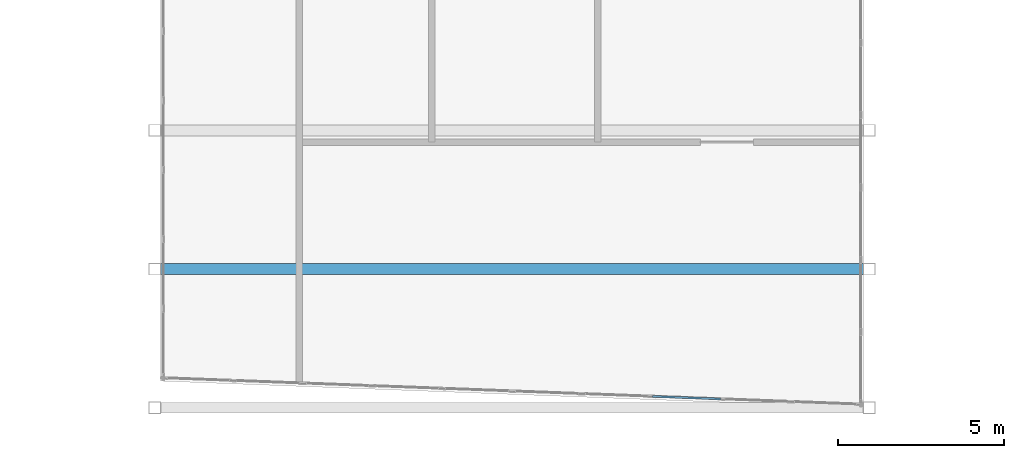
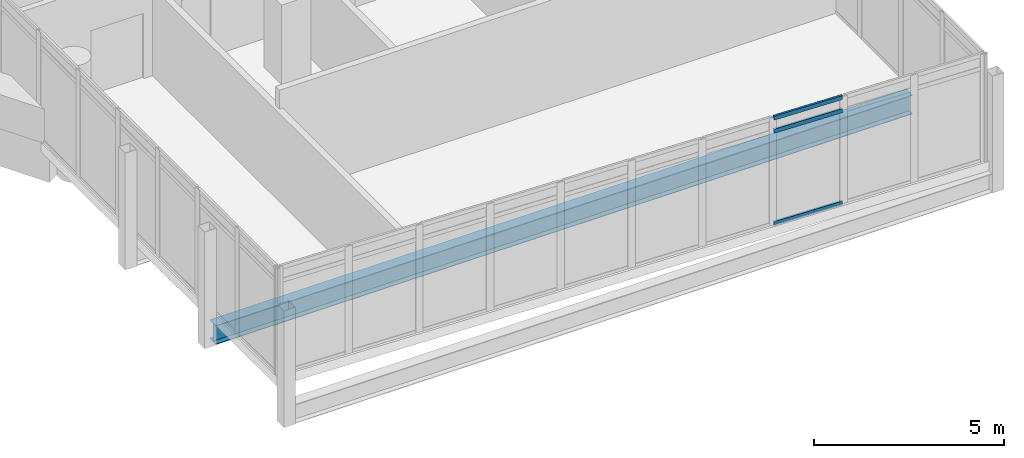
# One storey, part 5 of 37: 3 members, 1 beam, 1 element without a shape of its own.
"""IFC4 building model written with IfcOpenShell, lengths in metres."""

from ifc_helpers import new_model, si_unit, direction, frame, origin, origin_2d, place, context, subcontext, project, spatial, hollow_rectangle, i_section, extrude, material, material_profile, profile_set, type_object, element, aggregate, save


model = new_model("IFC4")

# Units and contexts
model_context = context("Model", 3, precision=1e-05, world=origin(), true_north=direction((0.0, 1.0)))
body_context = subcontext(model_context, "Body", "Model", "MODEL_VIEW")
ifc_project = project(units=[si_unit("LENGTHUNIT", "METRE"), si_unit("AREAUNIT", "SQUARE_METRE"), si_unit("VOLUMEUNIT", "CUBIC_METRE"), si_unit("PLANEANGLEUNIT", "RADIAN"), si_unit("MASSUNIT", "GRAM", prefix="KILO")], contexts=[model_context])

# Site, building, storey
site_placement = place(None, origin())
site = spatial("IfcSite", under=ifc_project, at=site_placement, CompositionType="ELEMENT")
building_placement = place(site_placement, origin())
building = spatial("IfcBuilding", under=site, at=building_placement, Name="Ostrander Bayou Hotel Tower", CompositionType="ELEMENT")
storey_placement = place(building_placement, frame((0.0, 0.0, 225.75)))
storey = spatial("IfcBuildingStorey", under=building, at=storey_placement, Name="L56", CompositionType="ELEMENT", Elevation=225.75)

# Curtain wall, members
ifc_material_1 = material(Name="Aluminium and clear glass", Category="aluminium")
curtain_wall_type = type_object("IfcCurtainWallType", Name="CW-BAR glazed wall", PredefinedType="NOTDEFINED", material=ifc_material_1)
curtain_wall_placement = place(storey_placement, origin())
curtain_wall = element("IfcCurtainWall", 1, at=curtain_wall_placement, inside=storey, type_object=curtain_wall_type, Name="CW-BAR L56:SB5S:T", PredefinedType="NOTDEFINED")
ifc_material_2 = material(Name="Aluminium", Category="aluminium")
ifc_material_profile_1 = material_profile(ifc_material_2, hollow_rectangle(XDim=0.06005859375, YDim=0.1298828125, WallThickness=0.00390625, at=origin_2d()))
ifc_profile_set_1 = profile_set([ifc_material_profile_1], Name="Aluminium")
member_type = type_object("IfcMemberType", Name="CW-BR transom 60 x 130 mm", PredefinedType="USERDEFINED", material=ifc_profile_set_1)
member_1_placement = place(storey_placement, frame((4.23486328125, -29.159912109375, 0.030029296875), z_axis=(0.99928289053, -0.037864293127, 0.0), x_axis=(0.037864293127, 0.99928289053, 0.0)))
member_1 = element("IfcMember", 2, at=member_1_placement, type_object=member_type, Name="CW-BAR transom 8.1", ObjectType="TRANSOM", PredefinedType="USERDEFINED", context=body_context, shape_type="SweptSolid", body=[
    extrude(hollow_rectangle(XDim=0.06005859375, YDim=0.1298828125, WallThickness=0.00390625, at=origin_2d()), origin(), (0.0, 0.0, 1.0), 2.0439453125),
])
member_2_placement = place(storey_placement, frame((4.23486328125, -29.159912109375, 3.0), z_axis=(0.99928289053, -0.037864293127, 0.0), x_axis=(0.037864293127, 0.99928289053, 0.0)))
member_2 = element("IfcMember", 3, at=member_2_placement, type_object=member_type, Name="CW-BAR transom 8.2", ObjectType="TRANSOM", PredefinedType="USERDEFINED", context=body_context, shape_type="SweptSolid", body=[
    extrude(hollow_rectangle(XDim=0.06005859375, YDim=0.1298828125, WallThickness=0.00390625, at=origin_2d()), origin(), (0.0, 0.0, 1.0), 2.0439453125),
])
member_3_placement = place(storey_placement, frame((4.23486328125, -29.159912109375, 3.419921875), z_axis=(0.99928289053, -0.037864293127, 0.0), x_axis=(0.037864293127, 0.99928289053, 0.0)))
member_3 = element("IfcMember", 4, at=member_3_placement, type_object=member_type, Name="CW-BAR transom 8.3", ObjectType="TRANSOM", PredefinedType="USERDEFINED", context=body_context, shape_type="SweptSolid", body=[
    extrude(hollow_rectangle(XDim=0.06005859375, YDim=0.1298828125, WallThickness=0.00390625, at=origin_2d()), origin(), (0.0, 0.0, 1.0), 2.0439453125),
])
aggregate(curtain_wall, [member_1, member_2, member_3])

# Beam
ifc_material_3 = material(Name="Steel ASTM A992", Category="steel")
ifc_material_profile_2 = material_profile(ifc_material_3, i_section(OverallWidth=0.32373046875, OverallDepth=0.611083984375, WebThickness=0.0126953125, FlangeThickness=0.01904296875, at=origin_2d()))
ifc_profile_set_2 = profile_set([ifc_material_profile_2], Name="Steel ASTM A992")
beam_type = type_object("IfcBeamType", Name="TF2 bar floor beam W24x104", PredefinedType="BEAM", material=ifc_profile_set_2)
beam_placement = place(storey_placement, frame((-10.587158203125, -25.32373046875, -0.605712890625), z_axis=(1.0, 0.0, 0.0), x_axis=(0.0, 1.0, 0.0)))
element("IfcBeam", 5, at=beam_placement, inside=storey, type_object=beam_type, Name="TF2 SB5S L2-2", PredefinedType="BEAM", context=body_context, shape_type="SweptSolid", body=[
    extrude(i_section(OverallWidth=0.32373046875, OverallDepth=0.611083984375, WebThickness=0.0126953125, FlangeThickness=0.01904296875, at=origin_2d()), origin(), (0.0, 0.0, 1.0), 21.17431640625),
])

save(model, "model.ifc")
